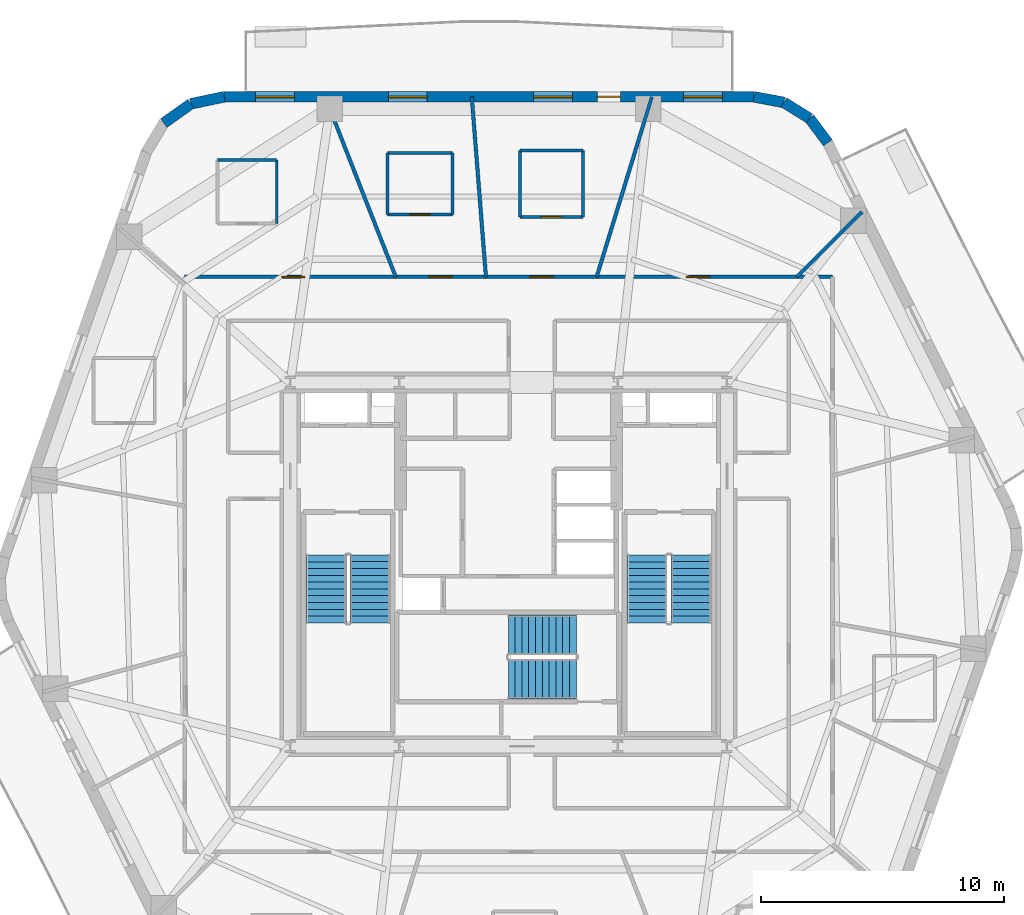
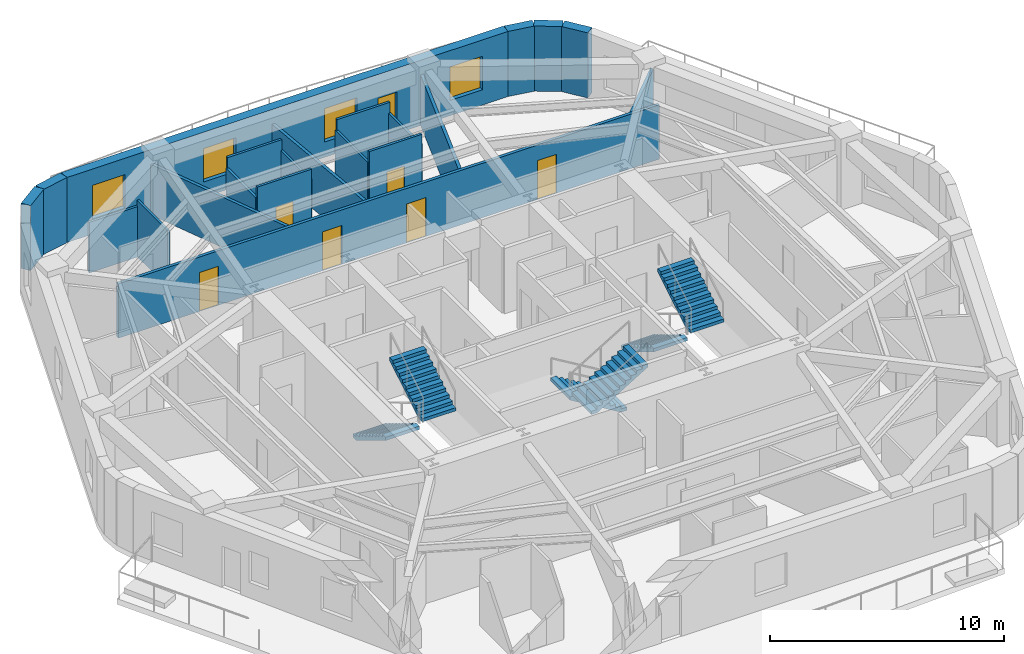
# One storey, part 6 of 10: 21 walls, 7 doors, 6 stair flights, 4 windows, 11 openings, 3 elements without a shape of their own.
"""IFC4 building model written with IfcOpenShell, lengths in metres."""

from ifc_helpers import new_model, si_unit, direction, frame, frame_2d, origin, place, context, subcontext, project, spatial, polyline, rectangle, outline, extrude, material, layer, layer_set, type_object, element, fill, aggregate, save


model = new_model("IFC4")

# Units and contexts
model_context = context("Model", 3, precision=1e-05, world=origin(), true_north=direction((0.0, 1.0)))
body_context = subcontext(model_context, "Body", "Model", "MODEL_VIEW")
ifc_project = project(units=[si_unit("LENGTHUNIT", "METRE"), si_unit("AREAUNIT", "SQUARE_METRE"), si_unit("VOLUMEUNIT", "CUBIC_METRE"), si_unit("PLANEANGLEUNIT", "RADIAN"), si_unit("MASSUNIT", "GRAM", prefix="KILO")], contexts=[model_context])

# Site, building, storey
site_placement = place(None, origin())
site = spatial("IfcSite", under=ifc_project, at=site_placement, CompositionType="ELEMENT")
building_placement = place(site_placement, origin())
building = spatial("IfcBuilding", under=site, at=building_placement, Name="Kilnhurst Terrace Hotel", CompositionType="ELEMENT")
storey_placement = place(building_placement, frame((0.0, 0.0, 151.699951171875)))
storey = spatial("IfcBuildingStorey", under=building, at=storey_placement, Name="L37", CompositionType="ELEMENT", Elevation=151.699951171875)

# Walls
ifc_material_1 = material(Name="Precast concrete C40/50", Category="concrete")
ifc_layer_1 = layer(ifc_material_1, 0.449951171875, Name="Precast concrete C40/50")
ifc_layer_set_1 = layer_set([ifc_layer_1], Name="Precast concrete C40/50")
wall_type_1 = type_object("IfcWallType", Name="WL-BRK-450", PredefinedType="SOLIDWALL", material=ifc_layer_set_1)
wall_1_placement = place(storey_placement, frame((13.162353515625, 17.380615234375, 0.0), z_axis=(0.0, 0.0, 1.0), x_axis=(-0.601515770517, 0.798860925205, 0.0)))
element("IfcWall", 1, at=wall_1_placement, inside=storey, type_object=wall_type_1, Name="L37 Rounded Corner Brick Wall C4.1", PredefinedType="SOLIDWALL", context=body_context, shape_type="SweptSolid", body=[
    extrude(rectangle(XDim=1.261962890625, YDim=0.449951171875, at=frame_2d((0.630859375, 0.0))), origin(), (0.0, 0.0, 1.0), 3.400146484375),
])
wall_2_placement = place(storey_placement, frame((12.4033203125, 18.388671875, 0.0), z_axis=(0.0, 0.0, 1.0), x_axis=(-0.849795170926, 0.527113049991, 0.0)))
element("IfcWall", 2, at=wall_2_placement, inside=storey, type_object=wall_type_1, Name="L37 Rounded Corner Brick Wall C4.2", PredefinedType="SOLIDWALL", context=body_context, shape_type="SweptSolid", body=[
    extrude(rectangle(XDim=1.24072265625, YDim=0.449951171875, at=frame_2d((0.620361328125, 0.0))), origin(), (0.0, 0.0, 1.0), 3.400146484375),
])
wall_3_placement = place(storey_placement, frame((11.348876953125, 19.042724609375, 0.0), z_axis=(0.0, 0.0, 1.0), x_axis=(-0.982931267051, 0.183973161772, 0.0)))
element("IfcWall", 3, at=wall_3_placement, inside=storey, type_object=wall_type_1, Name="L37 Rounded Corner Brick Wall C4.3", PredefinedType="SOLIDWALL", context=body_context, shape_type="SweptSolid", body=[
    extrude(rectangle(XDim=1.261962890625, YDim=0.449951171875, at=frame_2d((0.630859375, 0.0))), origin(), (0.0, 0.0, 1.0), 3.400146484375),
])
wall_4_placement = place(storey_placement, frame((-11.720458984375, 19.27490234375, 0.0), z_axis=(0.0, 0.0, 1.0), x_axis=(-0.97893106758, -0.204191001093, 0.0)))
element("IfcWall", 4, at=wall_4_placement, inside=storey, type_object=wall_type_1, Name="L37 Rounded Corner Brick Wall C5.1", PredefinedType="SOLIDWALL", context=body_context, shape_type="SweptSolid", body=[
    extrude(rectangle(XDim=1.400146484375, YDim=0.449951171875, at=frame_2d((0.7001953125, 0.0))), origin(), (0.0, 0.0, 1.0), 3.400146484375),
])
wall_5_placement = place(storey_placement, frame((-13.091064453125, 18.989013671875, 0.0), z_axis=(0.0, 0.0, 1.0), x_axis=(-0.815574637848, -0.578651890258, 0.0)))
element("IfcWall", 5, at=wall_5_placement, inside=storey, type_object=wall_type_1, Name="L37 Rounded Corner Brick Wall C5.2", PredefinedType="SOLIDWALL", context=body_context, shape_type="SweptSolid", body=[
    extrude(rectangle(XDim=1.376708984375, YDim=0.449951171875, at=frame_2d((0.6884765625, 0.0))), origin(), (0.0, 0.0, 1.0), 3.400146484375),
])

# Wall, openings, door, windows
wall_6_placement = place(storey_placement, frame((10.1083984375, 19.27490234375, 0.0), z_axis=(0.0, 0.0, 1.0), x_axis=(-1.0, 0.0, 0.0)))
wall_6 = element("IfcWall", 6, at=wall_6_placement, inside=storey, type_object=wall_type_1, Name="L37 Exterior Brick Facade Wall F4", PredefinedType="SOLIDWALL", context=body_context, shape_type="SweptSolid", body=[
    extrude(rectangle(XDim=21.828857421875, YDim=0.449951171875, at=frame_2d((10.91455078125, 0.0))), origin(), (0.0, 0.0, 1.0), 3.400146484375),
])
opening_1_placement = place(wall_6_placement, frame((5.5029296875, 0.0, 0.0)))
opening_1 = element("IfcOpeningElement", 7, at=opening_1_placement, cuts=wall_6, Name="Opening BD-950", PredefinedType="OPENING", context=body_context, shape_type="SweptSolid", body=[
    extrude(rectangle(XDim=0.949951171875, YDim=2.14990234375, at=frame_2d((0.47509765625, 1.074951171875))), frame((0.0, 0.23486328125, 0.0), z_axis=(0.0, -1.0, 0.0), x_axis=(1.0, 0.0, 0.0)), (0.0, 0.0, 1.0), 0.469970703125),
])
opening_2_placement = place(wall_6_placement, frame((1.297119140625, 0.0, 0.800048828125)))
opening_2 = element("IfcOpeningElement", 8, at=opening_2_placement, cuts=wall_6, Name="Opening W-05", PredefinedType="OPENING", context=body_context, shape_type="SweptSolid", body=[
    extrude(rectangle(XDim=1.60009765625, YDim=1.75, at=frame_2d((0.800048828125, 0.875))), frame((0.0, 0.23486328125, 0.0), z_axis=(0.0, -1.0, 0.0), x_axis=(1.0, 0.0, 0.0)), (0.0, 0.0, 1.0), 0.469970703125),
])
opening_3_placement = place(wall_6_placement, frame((7.47900390625, 0.0, 0.800048828125)))
opening_3 = element("IfcOpeningElement", 9, at=opening_3_placement, cuts=wall_6, Name="Opening W-05", PredefinedType="OPENING", context=body_context, shape_type="SweptSolid", body=[
    extrude(rectangle(XDim=1.60009765625, YDim=1.75, at=frame_2d((0.800048828125, 0.875))), frame((0.0, 0.23486328125, 0.0), z_axis=(0.0, -1.0, 0.0), x_axis=(1.0, 0.0, 0.0)), (0.0, 0.0, 1.0), 0.469970703125),
])
opening_4_placement = place(wall_6_placement, frame((13.4609375, 0.0, 0.800048828125)))
opening_4 = element("IfcOpeningElement", 10, at=opening_4_placement, cuts=wall_6, Name="Opening W-05", PredefinedType="OPENING", context=body_context, shape_type="SweptSolid", body=[
    extrude(rectangle(XDim=1.60009765625, YDim=1.75, at=frame_2d((0.800048828125, 0.875))), frame((0.0, 0.23486328125, 0.0), z_axis=(0.0, -1.0, 0.0), x_axis=(1.0, 0.0, 0.0)), (0.0, 0.0, 1.0), 0.469970703125),
])
opening_5_placement = place(wall_6_placement, frame((18.93310546875, 0.0, 0.800048828125)))
opening_5 = element("IfcOpeningElement", 11, at=opening_5_placement, cuts=wall_6, Name="Opening W-05", PredefinedType="OPENING", context=body_context, shape_type="SweptSolid", body=[
    extrude(rectangle(XDim=1.60009765625, YDim=1.75, at=frame_2d((0.800048828125, 0.875))), frame((0.0, 0.23486328125, 0.0), z_axis=(0.0, -1.0, 0.0), x_axis=(1.0, 0.0, 0.0)), (0.0, 0.0, 1.0), 0.469970703125),
])
ifc_material_2 = material(Name="Thermally Broken Bronze Aluminium Alloy 6063-T6 and Laminated Glass", Category="aluminium")
door_type_1 = type_object("IfcDoorType", Name="DR-EXT-BAL-950", OperationType="NOTDEFINED", PredefinedType="DOOR", material=ifc_material_2)
door_1_placement = place(opening_1_placement, origin())
door_1 = element("IfcDoor", 12, at=door_1_placement, inside=storey, type_object=door_type_1, Name="L37 Planted Balcony Door BAL-L1B", OperationType="SINGLE_SWING_RIGHT", OverallHeight=2.14990234375, OverallWidth=0.949951171875, PredefinedType="DOOR", context=body_context, shape_type="SweptSolid", body=[
    extrude(rectangle(XDim=0.949951171875, YDim=2.14990234375, at=frame_2d((0.47509765625, 1.074951171875))), frame((0.0, 0.02490234375, 0.0), z_axis=(0.0, -1.0, 0.0), x_axis=(1.0, 0.0, 0.0)), (0.0, 0.0, 1.0), 0.050048828125),
])
fill(opening_1, door_1)
ifc_material_3 = material(Name="Thermally Broken Bronze Aluminium Alloy 6063-T6 and Low-E Glass", Category="aluminium")
window_type = type_object("IfcWindowType", Name="WIN-1600X1750", PartitioningType="SINGLE_PANEL", PredefinedType="WINDOW", material=ifc_material_3)
window_1_placement = place(opening_2_placement, origin())
window_1 = element("IfcWindow", 13, at=window_1_placement, inside=storey, type_object=window_type, Name="L37 Deep-Set Masonry Window F4.1", OverallHeight=1.75, OverallWidth=1.60009765625, PartitioningType="SINGLE_PANEL", PredefinedType="WINDOW", context=body_context, shape_type="SweptSolid", body=[
    extrude(rectangle(XDim=1.60009765625, YDim=1.75, at=frame_2d((0.800048828125, 0.875))), frame((0.0, 0.030029296875, 0.0), z_axis=(0.0, -1.0, 0.0), x_axis=(1.0, 0.0, 0.0)), (0.0, 0.0, 1.0), 0.06005859375),
])
fill(opening_2, window_1)
window_2_placement = place(opening_3_placement, origin())
window_2 = element("IfcWindow", 14, at=window_2_placement, inside=storey, type_object=window_type, Name="L37 Deep-Set Masonry Window F4.2", OverallHeight=1.75, OverallWidth=1.60009765625, PartitioningType="SINGLE_PANEL", PredefinedType="WINDOW", context=body_context, shape_type="SweptSolid", body=[
    extrude(rectangle(XDim=1.60009765625, YDim=1.75, at=frame_2d((0.800048828125, 0.875))), frame((0.0, 0.030029296875, 0.0), z_axis=(0.0, -1.0, 0.0), x_axis=(1.0, 0.0, 0.0)), (0.0, 0.0, 1.0), 0.06005859375),
])
fill(opening_3, window_2)
window_3_placement = place(opening_4_placement, origin())
window_3 = element("IfcWindow", 15, at=window_3_placement, inside=storey, type_object=window_type, Name="L37 Deep-Set Masonry Window F4.3", OverallHeight=1.75, OverallWidth=1.60009765625, PartitioningType="SINGLE_PANEL", PredefinedType="WINDOW", context=body_context, shape_type="SweptSolid", body=[
    extrude(rectangle(XDim=1.60009765625, YDim=1.75, at=frame_2d((0.800048828125, 0.875))), frame((0.0, 0.030029296875, 0.0), z_axis=(0.0, -1.0, 0.0), x_axis=(1.0, 0.0, 0.0)), (0.0, 0.0, 1.0), 0.06005859375),
])
fill(opening_4, window_3)
window_4_placement = place(opening_5_placement, origin())
window_4 = element("IfcWindow", 16, at=window_4_placement, inside=storey, type_object=window_type, Name="L37 Deep-Set Masonry Window F4.4", OverallHeight=1.75, OverallWidth=1.60009765625, PartitioningType="SINGLE_PANEL", PredefinedType="WINDOW", context=body_context, shape_type="SweptSolid", body=[
    extrude(rectangle(XDim=1.60009765625, YDim=1.75, at=frame_2d((0.800048828125, 0.875))), frame((0.0, 0.030029296875, 0.0), z_axis=(0.0, -1.0, 0.0), x_axis=(1.0, 0.0, 0.0)), (0.0, 0.0, 1.0), 0.06005859375),
])
fill(opening_5, window_4)

# Wall, openings, doors
ifc_material_4 = material(Name="Acoustic Double-Gypsum Corridor Partition Assembly")
ifc_layer_2 = layer(ifc_material_4, 0.14990234375, Name="Acoustic Double-Gypsum Corridor Partition Assembly")
ifc_layer_set_2 = layer_set([ifc_layer_2], Name="Acoustic Double-Gypsum Corridor Partition Assembly")
wall_type_2 = type_object("IfcWallType", Name="WL-COR-150", PredefinedType="PARTITIONING", material=ifc_layer_set_2)
wall_7_placement = place(storey_placement, frame((-13.35009765625, 11.85009765625, 0.0), z_axis=(0.0, 0.0, 1.0), x_axis=(1.0, 0.0, 0.0)))
wall_7 = element("IfcWall", 17, at=wall_7_placement, inside=storey, type_object=wall_type_2, Name="L37 Interior Wall WL-L37-COR-03", PredefinedType="PARTITIONING", context=body_context, shape_type="SweptSolid", body=[
    extrude(rectangle(XDim=26.7001953125, YDim=0.14990234375, at=frame_2d((13.35009765625, 0.0))), origin(), (0.0, 0.0, 1.0), 2.840087890625),
])
opening_6_placement = place(wall_7_placement, frame((20.681884765625, 0.0, 0.0)))
opening_6 = element("IfcOpeningElement", 18, at=opening_6_placement, cuts=wall_7, Name="Opening D-60B", PredefinedType="OPENING", context=body_context, shape_type="SweptSolid", body=[
    extrude(rectangle(XDim=0.949951171875, YDim=2.030029296875, at=frame_2d((0.47509765625, 1.01513671875))), frame((0.0, 0.0849609375, 0.0), z_axis=(0.0, -1.0, 0.0), x_axis=(1.0, 0.0, 0.0)), (0.0, 0.0, 1.0), 0.169921875),
])
opening_7_placement = place(wall_7_placement, frame((14.22900390625, 0.0, 0.0)))
opening_7 = element("IfcOpeningElement", 19, at=opening_7_placement, cuts=wall_7, Name="Opening D-60B", PredefinedType="OPENING", context=body_context, shape_type="SweptSolid", body=[
    extrude(rectangle(XDim=0.949951171875, YDim=2.030029296875, at=frame_2d((0.47509765625, 1.01513671875))), frame((0.0, 0.0849609375, 0.0), z_axis=(0.0, -1.0, 0.0), x_axis=(1.0, 0.0, 0.0)), (0.0, 0.0, 1.0), 0.169921875),
])
opening_8_placement = place(wall_7_placement, frame((10.074951171875, 0.0, 0.0)))
opening_8 = element("IfcOpeningElement", 20, at=opening_8_placement, cuts=wall_7, Name="Opening D-60B", PredefinedType="OPENING", context=body_context, shape_type="SweptSolid", body=[
    extrude(rectangle(XDim=0.949951171875, YDim=2.030029296875, at=frame_2d((0.47509765625, 1.01513671875))), frame((0.0, 0.0849609375, 0.0), z_axis=(0.0, -1.0, 0.0), x_axis=(1.0, 0.0, 0.0)), (0.0, 0.0, 1.0), 0.169921875),
])
opening_9_placement = place(wall_7_placement, frame((3.9951171875, 0.0, 0.0)))
opening_9 = element("IfcOpeningElement", 21, at=opening_9_placement, cuts=wall_7, Name="Opening D-60B", PredefinedType="OPENING", context=body_context, shape_type="SweptSolid", body=[
    extrude(rectangle(XDim=0.949951171875, YDim=2.030029296875, at=frame_2d((0.47509765625, 1.01513671875))), frame((0.0, 0.0849609375, 0.0), z_axis=(0.0, -1.0, 0.0), x_axis=(1.0, 0.0, 0.0)), (0.0, 0.0, 1.0), 0.169921875),
])
ifc_material_5 = material(Name="Acoustic Walnut Veneer Solid-Core Fire Door")
door_type_2 = type_object("IfcDoorType", Name="DR-FD60-950", OperationType="NOTDEFINED", PredefinedType="DOOR", material=ifc_material_5)
door_2_placement = place(opening_6_placement, origin())
door_2 = element("IfcDoor", 22, at=door_2_placement, inside=storey, type_object=door_type_2, Name="L37 Fitness Studio Door", OperationType="SINGLE_SWING_RIGHT", OverallHeight=2.030029296875, OverallWidth=0.949951171875, PredefinedType="DOOR", context=body_context, shape_type="SweptSolid", body=[
    extrude(rectangle(XDim=0.949951171875, YDim=2.030029296875, at=frame_2d((0.47509765625, 1.01513671875))), frame((0.0, 0.02490234375, 0.0), z_axis=(0.0, -1.0, 0.0), x_axis=(1.0, 0.0, 0.0)), (0.0, 0.0, 1.0), 0.050048828125),
])
fill(opening_6, door_2)
door_3_placement = place(opening_7_placement, origin())
door_3 = element("IfcDoor", 23, at=door_3_placement, inside=storey, type_object=door_type_2, Name="L37 Guest Room Entry Door 3", OperationType="SINGLE_SWING_LEFT", OverallHeight=2.030029296875, OverallWidth=0.949951171875, PredefinedType="DOOR", context=body_context, shape_type="SweptSolid", body=[
    extrude(rectangle(XDim=0.949951171875, YDim=2.030029296875, at=frame_2d((0.47509765625, 1.01513671875))), frame((0.0, 0.02490234375, 0.0), z_axis=(0.0, -1.0, 0.0), x_axis=(1.0, 0.0, 0.0)), (0.0, 0.0, 1.0), 0.050048828125),
])
fill(opening_7, door_3)
door_4_placement = place(opening_8_placement, origin())
door_4 = element("IfcDoor", 24, at=door_4_placement, inside=storey, type_object=door_type_2, Name="L37 Guest Room Entry Door 4", OperationType="SINGLE_SWING_RIGHT", OverallHeight=2.030029296875, OverallWidth=0.949951171875, PredefinedType="DOOR", context=body_context, shape_type="SweptSolid", body=[
    extrude(rectangle(XDim=0.949951171875, YDim=2.030029296875, at=frame_2d((0.47509765625, 1.01513671875))), frame((0.0, 0.02490234375, 0.0), z_axis=(0.0, -1.0, 0.0), x_axis=(1.0, 0.0, 0.0)), (0.0, 0.0, 1.0), 0.050048828125),
])
fill(opening_8, door_4)
door_5_placement = place(opening_9_placement, origin())
door_5 = element("IfcDoor", 25, at=door_5_placement, inside=storey, type_object=door_type_2, Name="L37 Executive Suite Entry Door 5", OperationType="SINGLE_SWING_LEFT", OverallHeight=2.030029296875, OverallWidth=0.949951171875, PredefinedType="DOOR", context=body_context, shape_type="SweptSolid", body=[
    extrude(rectangle(XDim=0.949951171875, YDim=2.030029296875, at=frame_2d((0.47509765625, 1.01513671875))), frame((0.0, 0.02490234375, 0.0), z_axis=(0.0, -1.0, 0.0), x_axis=(1.0, 0.0, 0.0)), (0.0, 0.0, 1.0), 0.050048828125),
])
fill(opening_9, door_5)

# Walls
ifc_material_6 = material(Name="STC-58 Acoustic Twin-Frame Guestroom Demising Partition")
ifc_layer_3 = layer(ifc_material_6, 0.14990234375, Name="STC-58 Acoustic Twin-Frame Guestroom Demising Partition")
ifc_layer_set_3 = layer_set([ifc_layer_3], Name="STC-58 Acoustic Twin-Frame Guestroom Demising Partition")
wall_type_3 = type_object("IfcWallType", Name="WL-DEM-150", PredefinedType="PARTITIONING", material=ifc_layer_set_3)
wall_8_placement = place(storey_placement, frame((11.8818359375, 11.85009765625, 0.0), z_axis=(0.0, 0.0, 1.0), x_axis=(0.708037373639, 0.706174962407, 0.0)))
element("IfcWall", 26, at=wall_8_placement, inside=storey, type_object=wall_type_3, Name="L37 Interior Wall WL-L37-DEM-COL02-02-1", PredefinedType="PARTITIONING", context=body_context, shape_type="SweptSolid", body=[
    extrude(rectangle(XDim=3.801513671875, YDim=0.14990234375, at=frame_2d((1.90087890625, 0.0))), origin(), (0.0, 0.0, 1.0), 2.64013671875),
])
wall_9_placement = place(storey_placement, frame((3.63134765625, 11.85009765625, 0.0), z_axis=(0.0, 0.0, 1.0), x_axis=(0.293007573338, 0.956110120209, 0.0)))
element("IfcWall", 27, at=wall_9_placement, inside=storey, type_object=wall_type_3, Name="L37 Interior Wall WL-L37-DEM-COL03-03-1", PredefinedType="PARTITIONING", context=body_context, shape_type="SweptSolid", body=[
    extrude(rectangle(XDim=7.765625, YDim=0.14990234375, at=frame_2d((3.8828125, 0.0))), origin(), (0.0, 0.0, 1.0), 2.64013671875),
])
wall_10_placement = place(storey_placement, frame((-0.932861328125, 11.85009765625, 0.0), z_axis=(0.0, 0.0, 1.0), x_axis=(-0.078476156849, 0.996915990847, 0.0)))
element("IfcWall", 28, at=wall_10_placement, inside=storey, type_object=wall_type_3, Name="L37 Interior Wall WL-L37-DEM-MID03-04-1", PredefinedType="PARTITIONING", context=body_context, shape_type="SweptSolid", body=[
    extrude(rectangle(XDim=7.44775390625, YDim=0.14990234375, at=frame_2d((3.723876953125, 0.0))), origin(), (0.0, 0.0, 1.0), 2.64013671875),
])
wall_11_placement = place(storey_placement, frame((-4.64990234375, 11.85009765625, 0.0), z_axis=(0.0, 0.0, 1.0), x_axis=(-0.365265947993, 0.930903210456, 0.0)))
element("IfcWall", 29, at=wall_11_placement, inside=storey, type_object=wall_type_3, Name="L37 Interior Wall WL-L37-DEM-COL04-05-1", PredefinedType="PARTITIONING", context=body_context, shape_type="SweptSolid", body=[
    extrude(rectangle(XDim=7.975830078125, YDim=0.14990234375, at=frame_2d((3.98779296875, 0.0))), origin(), (0.0, 0.0, 1.0), 2.64013671875),
])

# Wall, opening, door
ifc_material_7 = material(Name="120 mm Moisture-Resistant Tile-Backed Bathroom Partition")
ifc_layer_4 = layer(ifc_material_7, 0.1201171875, Name="120 mm Moisture-Resistant Tile-Backed Bathroom Partition")
ifc_layer_set_4 = layer_set([ifc_layer_4], Name="120 mm Moisture-Resistant Tile-Backed Bathroom Partition")
wall_type_4 = type_object("IfcWallType", Name="WL-PART-120", PredefinedType="PARTITIONING", material=ifc_layer_set_4)
wall_12_placement = place(storey_placement, frame((0.464111328125, 14.31298828125, 0.0), z_axis=(0.0, 0.0, 1.0), x_axis=(1.0, 0.0, 0.0)))
wall_12 = element("IfcWall", 30, at=wall_12_placement, inside=storey, type_object=wall_type_4, Name="L37 Interior Wall WL-L37-BTH-03-1", PredefinedType="PARTITIONING", context=body_context, shape_type="SweptSolid", body=[
    extrude(rectangle(XDim=2.599853515625, YDim=0.1201171875, at=frame_2d((1.2998046875, 0.0))), origin(), (0.0, 0.0, 1.0), 3.400146484375),
])
opening_10_placement = place(wall_12_placement, frame((0.875, 0.0, 0.0)))
opening_10 = element("IfcOpeningElement", 31, at=opening_10_placement, cuts=wall_12, Name="Opening D-08A", PredefinedType="OPENING", context=body_context, shape_type="SweptSolid", body=[
    extrude(rectangle(XDim=0.85009765625, YDim=2.030029296875, at=frame_2d((0.425048828125, 1.01513671875))), frame((0.0, 0.070068359375, 0.0), z_axis=(0.0, -1.0, 0.0), x_axis=(1.0, 0.0, 0.0)), (0.0, 0.0, 1.0), 0.14013671875),
])
ifc_material_8 = material(Name="Moisture-Resistant Lacquered En-suite Bathroom Door")
door_type_3 = type_object("IfcDoorType", Name="DR-INT-850", OperationType="NOTDEFINED", PredefinedType="DOOR", material=ifc_material_8)
door_6_placement = place(opening_10_placement, origin())
door_6 = element("IfcDoor", 32, at=door_6_placement, inside=storey, type_object=door_type_3, Name="L37 En-suite Bathroom Door 3", OperationType="SINGLE_SWING_RIGHT", OverallHeight=2.030029296875, OverallWidth=0.85009765625, PredefinedType="DOOR", context=body_context, shape_type="SweptSolid", body=[
    extrude(rectangle(XDim=0.85009765625, YDim=2.030029296875, at=frame_2d((0.425048828125, 1.01513671875))), frame((0.0, 0.02490234375, 0.0), z_axis=(0.0, -1.0, 0.0), x_axis=(1.0, 0.0, 0.0)), (0.0, 0.0, 1.0), 0.050048828125),
])
fill(opening_10, door_6)

# Walls
wall_13_placement = place(storey_placement, frame((3.06396484375, 14.31298828125, 0.0), z_axis=(0.0, 0.0, 1.0), x_axis=(0.0, 1.0, 0.0)))
element("IfcWall", 33, at=wall_13_placement, inside=storey, type_object=wall_type_4, Name="L37 Interior Wall WL-L37-BTH-03-2", PredefinedType="PARTITIONING", context=body_context, shape_type="SweptSolid", body=[
    extrude(rectangle(XDim=2.75, YDim=0.1201171875, at=frame_2d((1.375, 0.0))), origin(), (0.0, 0.0, 1.0), 2.84033203125),
])
wall_14_placement = place(storey_placement, frame((3.06396484375, 17.06298828125, 0.0), z_axis=(0.0, 0.0, 1.0), x_axis=(-1.0, 0.0, 0.0)))
element("IfcWall", 34, at=wall_14_placement, inside=storey, type_object=wall_type_4, Name="L37 Interior Wall WL-L37-BTH-03-3", PredefinedType="PARTITIONING", context=body_context, shape_type="SweptSolid", body=[
    extrude(rectangle(XDim=2.599853515625, YDim=0.1201171875, at=frame_2d((1.2998046875, 0.0))), origin(), (0.0, 0.0, 1.0), 3.400146484375),
])
wall_15_placement = place(storey_placement, frame((0.464111328125, 17.06298828125, 0.0), z_axis=(0.0, 0.0, 1.0), x_axis=(0.0, -1.0, 0.0)))
element("IfcWall", 35, at=wall_15_placement, inside=storey, type_object=wall_type_4, Name="L37 Interior Wall WL-L37-BTH-03-4", PredefinedType="PARTITIONING", context=body_context, shape_type="SweptSolid", body=[
    extrude(rectangle(XDim=2.75, YDim=0.1201171875, at=frame_2d((1.375, 0.0))), origin(), (0.0, 0.0, 1.0), 2.84033203125),
])

# Wall, opening, door
wall_16_placement = place(storey_placement, frame((-4.998046875, 14.41796875, 0.0), z_axis=(0.0, 0.0, 1.0), x_axis=(1.0, 0.0, 0.0)))
wall_16 = element("IfcWall", 36, at=wall_16_placement, inside=storey, type_object=wall_type_4, Name="L37 Interior Wall WL-L37-BTH-04-1", PredefinedType="PARTITIONING", context=body_context, shape_type="SweptSolid", body=[
    extrude(rectangle(XDim=2.679931640625, YDim=0.1201171875, at=frame_2d((1.33984375, 0.0))), origin(), (0.0, 0.0, 1.0), 3.400146484375),
])
opening_11_placement = place(wall_16_placement, frame((0.9150390625, 0.0, 0.0)))
opening_11 = element("IfcOpeningElement", 37, at=opening_11_placement, cuts=wall_16, Name="Opening D-08A", PredefinedType="OPENING", context=body_context, shape_type="SweptSolid", body=[
    extrude(rectangle(XDim=0.85009765625, YDim=2.030029296875, at=frame_2d((0.425048828125, 1.01513671875))), frame((0.0, 0.070068359375, 0.0), z_axis=(0.0, -1.0, 0.0), x_axis=(1.0, 0.0, 0.0)), (0.0, 0.0, 1.0), 0.14013671875),
])
door_7_placement = place(opening_11_placement, origin())
door_7 = element("IfcDoor", 38, at=door_7_placement, inside=storey, type_object=door_type_3, Name="L37 En-suite Bathroom Door 4", OperationType="SINGLE_SWING_LEFT", OverallHeight=2.030029296875, OverallWidth=0.85009765625, PredefinedType="DOOR", context=body_context, shape_type="SweptSolid", body=[
    extrude(rectangle(XDim=0.85009765625, YDim=2.030029296875, at=frame_2d((0.425048828125, 1.01513671875))), frame((0.0, 0.02490234375, 0.0), z_axis=(0.0, -1.0, 0.0), x_axis=(1.0, 0.0, 0.0)), (0.0, 0.0, 1.0), 0.050048828125),
])
fill(opening_11, door_7)

# Walls
wall_17_placement = place(storey_placement, frame((-2.318115234375, 14.41796875, 0.0), z_axis=(0.0, 0.0, 1.0), x_axis=(0.0, 1.0, 0.0)))
element("IfcWall", 39, at=wall_17_placement, inside=storey, type_object=wall_type_4, Name="L37 Interior Wall WL-L37-BTH-04-2", PredefinedType="PARTITIONING", context=body_context, shape_type="SweptSolid", body=[
    extrude(rectangle(XDim=2.5400390625, YDim=0.1201171875, at=frame_2d((1.27001953125, 0.0))), origin(), (0.0, 0.0, 1.0), 2.84033203125),
])
wall_18_placement = place(storey_placement, frame((-2.318115234375, 16.9580078125, 0.0), z_axis=(0.0, 0.0, 1.0), x_axis=(-1.0, 0.0, 0.0)))
element("IfcWall", 40, at=wall_18_placement, inside=storey, type_object=wall_type_4, Name="L37 Interior Wall WL-L37-BTH-04-3", PredefinedType="PARTITIONING", context=body_context, shape_type="SweptSolid", body=[
    extrude(rectangle(XDim=2.679931640625, YDim=0.1201171875, at=frame_2d((1.33984375, 0.0))), origin(), (0.0, 0.0, 1.0), 3.400146484375),
])
wall_19_placement = place(storey_placement, frame((-4.998046875, 16.9580078125, 0.0), z_axis=(0.0, 0.0, 1.0), x_axis=(0.0, -1.0, 0.0)))
element("IfcWall", 41, at=wall_19_placement, inside=storey, type_object=wall_type_4, Name="L37 Interior Wall WL-L37-BTH-04-4", PredefinedType="PARTITIONING", context=body_context, shape_type="SweptSolid", body=[
    extrude(rectangle(XDim=2.5400390625, YDim=0.1201171875, at=frame_2d((1.27001953125, 0.0))), origin(), (0.0, 0.0, 1.0), 2.84033203125),
])
wall_20_placement = place(storey_placement, frame((-9.555908203125, 14.056884765625, 0.0), z_axis=(0.0, 0.0, 1.0), x_axis=(0.0, 1.0, 0.0)))
element("IfcWall", 42, at=wall_20_placement, inside=storey, type_object=wall_type_4, Name="L37 Interior Wall WL-L37-BTH-05-2", PredefinedType="PARTITIONING", context=body_context, shape_type="SweptSolid", body=[
    extrude(rectangle(XDim=2.610107421875, YDim=0.1201171875, at=frame_2d((1.30517578125, 0.0))), origin(), (0.0, 0.0, 1.0), 2.926513671875),
])
wall_21_placement = place(storey_placement, frame((-9.555908203125, 16.6669921875, 0.0), z_axis=(0.0, 0.0, 1.0), x_axis=(-1.0, 0.0, 0.0)))
element("IfcWall", 43, at=wall_21_placement, inside=storey, type_object=wall_type_4, Name="L37 Interior Wall WL-L37-BTH-05-3", PredefinedType="PARTITIONING", context=body_context, shape_type="SweptSolid", body=[
    extrude(rectangle(XDim=2.440185546875, YDim=0.1201171875, at=frame_2d((1.22021484375, 0.0))), origin(), (0.0, 0.0, 1.0), 2.64013671875),
])

# Stair, stair flights
ifc_material_9 = material(Name="Concrete C50/60", Category="concrete")
stair_type = type_object("IfcStairType", Name="STR-CORE-1660", PredefinedType="HALF_TURN_STAIR", material=ifc_material_9)
stair_1_placement = place(storey_placement, origin())
stair_1 = element("IfcStair", 44, at=stair_1_placement, inside=storey, type_object=stair_type, Name="L37 ST-1", PredefinedType="HALF_TURN_STAIR")
stair_flight_type = type_object("IfcStairFlightType", Name="FLT-RC-1660", PredefinedType="STRAIGHT", material=ifc_material_9)
stair_flight_1_placement = place(storey_placement, frame((-7.52001953125, 0.389892578125, 0.0), z_axis=(0.0, 0.0, 1.0), x_axis=(0.0, -1.0, 0.0)))
stair_flight_1 = element("IfcStairFlight", 45, at=stair_flight_1_placement, type_object=stair_flight_type, Name="ST-1 flight 1", NumberOfRisers=11, NumberOfTreads=10, PredefinedType="STRAIGHT", RiserHeight=0.168181818, TreadLength=0.28, context=body_context, shape_type="SweptSolid", body=[
    extrude(outline(polyline([(0.0, 0.0), (0.0, 0.168212890625), (0.280029296875, 0.168212890625), (0.280029296875, 0.33642578125), (0.56005859375, 0.33642578125), (0.56005859375, 0.504638671875), (0.840087890625, 0.504638671875), (0.840087890625, 0.672607421875), (1.1201171875, 0.672607421875), (1.1201171875, 0.8408203125), (1.39990234375, 0.8408203125), (1.39990234375, 1.009033203125), (1.679931640625, 1.009033203125), (1.679931640625, 1.17724609375), (1.9599609375, 1.17724609375), (1.9599609375, 1.345458984375), (2.239990234375, 1.345458984375), (2.239990234375, 1.513671875), (2.52001953125, 1.513671875), (2.52001953125, 1.681884765625), (2.800048828125, 1.681884765625), (2.800048828125, 1.85009765625), (2.800048828125, 1.5068359375), (0.291015625, 0.0), (0.0, 0.0)])), frame((0.0, 0.830078125, 0.0), z_axis=(0.0, -1.0, 0.0), x_axis=(1.0, 0.0, 0.0)), (0.0, 0.0, 1.0), 1.659912109375),
])
stair_flight_2_placement = place(storey_placement, frame((-5.7099609375, -2.409912109375, 1.85009765625), z_axis=(0.0, 0.0, 1.0), x_axis=(0.0, 1.0, 0.0)))
stair_flight_2 = element("IfcStairFlight", 46, at=stair_flight_2_placement, type_object=stair_flight_type, Name="ST-1 flight 2", NumberOfRisers=11, NumberOfTreads=10, PredefinedType="STRAIGHT", RiserHeight=0.168181818, TreadLength=0.28, context=body_context, shape_type="SweptSolid", body=[
    extrude(outline(polyline([(0.0, 0.0), (0.0, 0.168212890625), (0.280029296875, 0.168212890625), (0.280029296875, 0.33642578125), (0.56005859375, 0.33642578125), (0.56005859375, 0.504638671875), (0.840087890625, 0.504638671875), (0.840087890625, 0.672607421875), (1.1201171875, 0.672607421875), (1.1201171875, 0.8408203125), (1.39990234375, 0.8408203125), (1.39990234375, 1.009033203125), (1.679931640625, 1.009033203125), (1.679931640625, 1.17724609375), (1.9599609375, 1.17724609375), (1.9599609375, 1.345458984375), (2.239990234375, 1.345458984375), (2.239990234375, 1.513671875), (2.52001953125, 1.513671875), (2.52001953125, 1.681884765625), (2.800048828125, 1.681884765625), (2.800048828125, 1.85009765625), (2.800048828125, 1.5068359375), (0.291015625, 0.0), (0.0, 0.0)])), frame((0.0, 0.830078125, 0.0), z_axis=(0.0, -1.0, 0.0), x_axis=(1.0, 0.0, 0.0)), (0.0, 0.0, 1.0), 1.659912109375),
])
aggregate(stair_1, [stair_flight_1, stair_flight_2])

stair_2_placement = place(storey_placement, origin())
stair_2 = element("IfcStair", 47, at=stair_2_placement, inside=storey, type_object=stair_type, Name="L37 ST-2", PredefinedType="HALF_TURN_STAIR")
stair_flight_3_placement = place(storey_placement, frame((5.7099609375, 0.389892578125, 0.0), z_axis=(0.0, 0.0, 1.0), x_axis=(0.0, -1.0, 0.0)))
stair_flight_3 = element("IfcStairFlight", 48, at=stair_flight_3_placement, type_object=stair_flight_type, Name="ST-2 flight 1", NumberOfRisers=11, NumberOfTreads=10, PredefinedType="STRAIGHT", RiserHeight=0.168181818, TreadLength=0.28, context=body_context, shape_type="SweptSolid", body=[
    extrude(outline(polyline([(0.0, 0.0), (0.0, 0.168212890625), (0.280029296875, 0.168212890625), (0.280029296875, 0.33642578125), (0.56005859375, 0.33642578125), (0.56005859375, 0.504638671875), (0.840087890625, 0.504638671875), (0.840087890625, 0.672607421875), (1.1201171875, 0.672607421875), (1.1201171875, 0.8408203125), (1.39990234375, 0.8408203125), (1.39990234375, 1.009033203125), (1.679931640625, 1.009033203125), (1.679931640625, 1.17724609375), (1.9599609375, 1.17724609375), (1.9599609375, 1.345458984375), (2.239990234375, 1.345458984375), (2.239990234375, 1.513671875), (2.52001953125, 1.513671875), (2.52001953125, 1.681884765625), (2.800048828125, 1.681884765625), (2.800048828125, 1.85009765625), (2.800048828125, 1.5068359375), (0.291015625, 0.0), (0.0, 0.0)])), frame((0.0, 0.830078125, 0.0), z_axis=(0.0, -1.0, 0.0), x_axis=(1.0, 0.0, 0.0)), (0.0, 0.0, 1.0), 1.659912109375),
])
stair_flight_4_placement = place(storey_placement, frame((7.52001953125, -2.409912109375, 1.85009765625), z_axis=(0.0, 0.0, 1.0), x_axis=(0.0, 1.0, 0.0)))
stair_flight_4 = element("IfcStairFlight", 49, at=stair_flight_4_placement, type_object=stair_flight_type, Name="ST-2 flight 2", NumberOfRisers=11, NumberOfTreads=10, PredefinedType="STRAIGHT", RiserHeight=0.168181818, TreadLength=0.28, context=body_context, shape_type="SweptSolid", body=[
    extrude(outline(polyline([(0.0, 0.0), (0.0, 0.168212890625), (0.280029296875, 0.168212890625), (0.280029296875, 0.33642578125), (0.56005859375, 0.33642578125), (0.56005859375, 0.504638671875), (0.840087890625, 0.504638671875), (0.840087890625, 0.672607421875), (1.1201171875, 0.672607421875), (1.1201171875, 0.8408203125), (1.39990234375, 0.8408203125), (1.39990234375, 1.009033203125), (1.679931640625, 1.009033203125), (1.679931640625, 1.17724609375), (1.9599609375, 1.17724609375), (1.9599609375, 1.345458984375), (2.239990234375, 1.345458984375), (2.239990234375, 1.513671875), (2.52001953125, 1.513671875), (2.52001953125, 1.681884765625), (2.800048828125, 1.681884765625), (2.800048828125, 1.85009765625), (2.800048828125, 1.5068359375), (0.291015625, 0.0), (0.0, 0.0)])), frame((0.0, 0.830078125, 0.0), z_axis=(0.0, -1.0, 0.0), x_axis=(1.0, 0.0, 0.0)), (0.0, 0.0, 1.0), 1.659912109375),
])
aggregate(stair_2, [stair_flight_3, stair_flight_4])

stair_3_placement = place(storey_placement, origin())
stair_3 = element("IfcStair", 50, at=stair_3_placement, inside=storey, type_object=stair_type, Name="L37 ST-3", PredefinedType="HALF_TURN_STAIR")
stair_flight_5_placement = place(storey_placement, frame((2.7900390625, -2.909912109375, 0.0), z_axis=(0.0, 0.0, 1.0), x_axis=(-1.0, 0.0, 0.0)))
stair_flight_5 = element("IfcStairFlight", 51, at=stair_flight_5_placement, type_object=stair_flight_type, Name="ST-3 flight 1", NumberOfRisers=11, NumberOfTreads=10, PredefinedType="STRAIGHT", RiserHeight=0.168181818, TreadLength=0.28, context=body_context, shape_type="SweptSolid", body=[
    extrude(outline(polyline([(0.0, 0.0), (0.0, 0.168212890625), (0.280029296875, 0.168212890625), (0.280029296875, 0.33642578125), (0.56005859375, 0.33642578125), (0.56005859375, 0.504638671875), (0.840087890625, 0.504638671875), (0.840087890625, 0.672607421875), (1.1201171875, 0.672607421875), (1.1201171875, 0.8408203125), (1.39990234375, 0.8408203125), (1.39990234375, 1.009033203125), (1.679931640625, 1.009033203125), (1.679931640625, 1.17724609375), (1.9599609375, 1.17724609375), (1.9599609375, 1.345458984375), (2.239990234375, 1.345458984375), (2.239990234375, 1.513671875), (2.52001953125, 1.513671875), (2.52001953125, 1.681884765625), (2.800048828125, 1.681884765625), (2.800048828125, 1.85009765625), (2.800048828125, 1.5068359375), (0.291015625, 0.0), (0.0, 0.0)])), frame((0.0, 0.830078125, 0.0), z_axis=(0.0, -1.0, 0.0), x_axis=(1.0, 0.0, 0.0)), (0.0, 0.0, 1.0), 1.659912109375),
])
stair_flight_6_placement = place(storey_placement, frame((-0.010009765625, -4.719970703125, 1.85009765625), z_axis=(0.0, 0.0, 1.0), x_axis=(1.0, 0.0, 0.0)))
stair_flight_6 = element("IfcStairFlight", 52, at=stair_flight_6_placement, type_object=stair_flight_type, Name="ST-3 flight 2", NumberOfRisers=11, NumberOfTreads=10, PredefinedType="STRAIGHT", RiserHeight=0.168181818, TreadLength=0.28, context=body_context, shape_type="SweptSolid", body=[
    extrude(outline(polyline([(0.0, 0.0), (0.0, 0.168212890625), (0.280029296875, 0.168212890625), (0.280029296875, 0.33642578125), (0.56005859375, 0.33642578125), (0.56005859375, 0.504638671875), (0.840087890625, 0.504638671875), (0.840087890625, 0.672607421875), (1.1201171875, 0.672607421875), (1.1201171875, 0.8408203125), (1.39990234375, 0.8408203125), (1.39990234375, 1.009033203125), (1.679931640625, 1.009033203125), (1.679931640625, 1.17724609375), (1.9599609375, 1.17724609375), (1.9599609375, 1.345458984375), (2.239990234375, 1.345458984375), (2.239990234375, 1.513671875), (2.52001953125, 1.513671875), (2.52001953125, 1.681884765625), (2.800048828125, 1.681884765625), (2.800048828125, 1.85009765625), (2.800048828125, 1.5068359375), (0.291015625, 0.0), (0.0, 0.0)])), frame((0.0, 0.830078125, 0.0), z_axis=(0.0, -1.0, 0.0), x_axis=(1.0, 0.0, 0.0)), (0.0, 0.0, 1.0), 1.659912109375),
])
aggregate(stair_3, [stair_flight_5, stair_flight_6])

save(model, "model.ifc")
